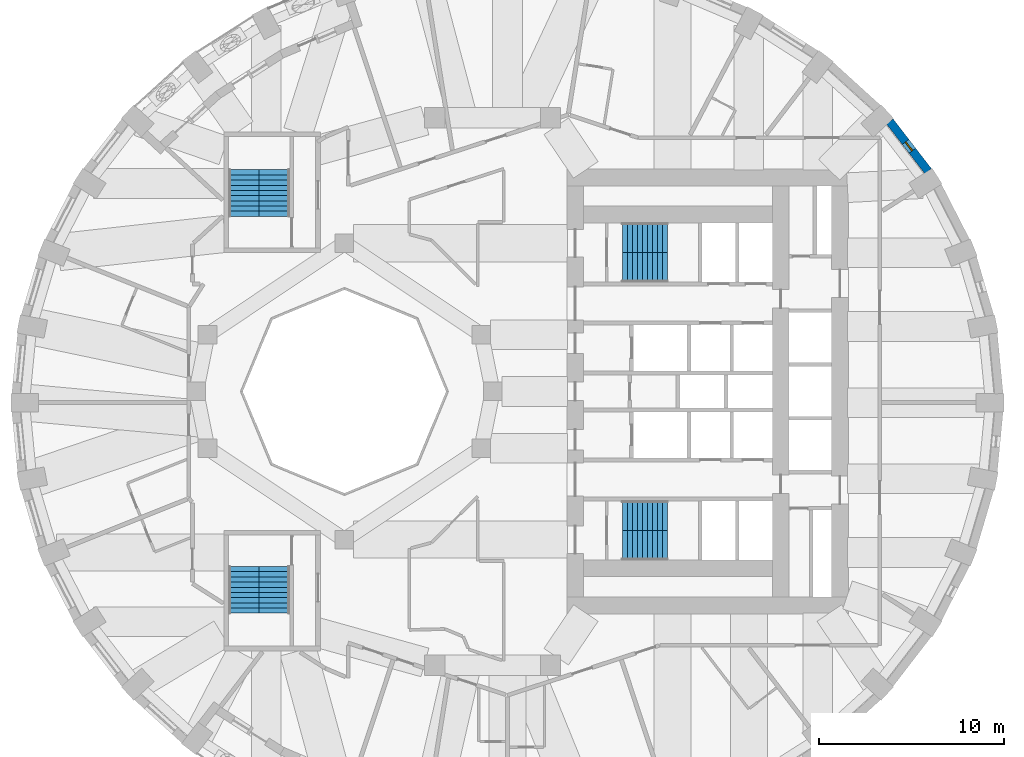
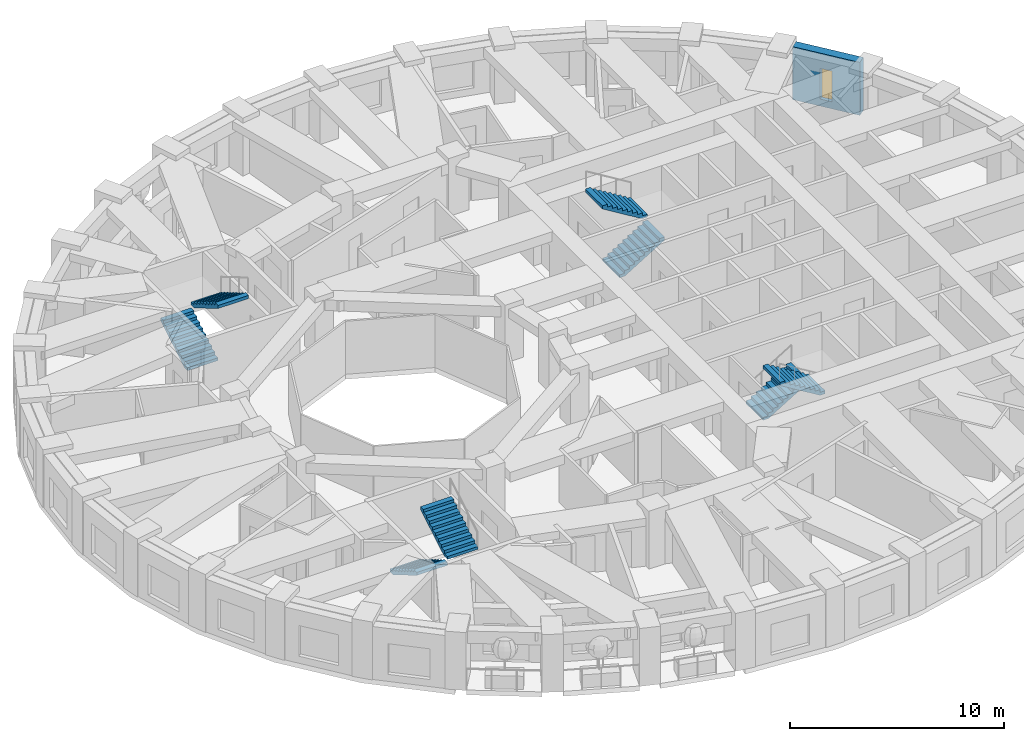
# One storey, part 9 of 12: 8 stair flights, 1 wall, 1 window, 1 opening, 4 elements without a shape of their own.
"""IFC4 building model written with IfcOpenShell, lengths in metres."""

from ifc_helpers import new_model, si_unit, direction, frame, frame_2d, origin, place, context, subcontext, project, spatial, polyline, rectangle, outline, extrude, material, layer, layer_set, type_object, element, fill, aggregate, save


model = new_model("IFC4")

# Units and contexts
model_context = context("Model", 3, precision=1e-05, world=origin(), true_north=direction((0.0, 1.0)))
body_context = subcontext(model_context, "Body", "Model", "MODEL_VIEW")
ifc_project = project(units=[si_unit("LENGTHUNIT", "METRE"), si_unit("AREAUNIT", "SQUARE_METRE"), si_unit("VOLUMEUNIT", "CUBIC_METRE"), si_unit("PLANEANGLEUNIT", "RADIAN"), si_unit("MASSUNIT", "GRAM", prefix="KILO")], contexts=[model_context])

# Site, building, storey
site_placement = place(None, origin())
site = spatial("IfcSite", under=ifc_project, at=site_placement, CompositionType="ELEMENT")
building_placement = place(site_placement, origin())
building = spatial("IfcBuilding", under=site, at=building_placement, Name="Taillehof Tower", CompositionType="ELEMENT")
storey_placement = place(building_placement, frame((0.0, 0.0, 121.89990234375)))
storey = spatial("IfcBuildingStorey", under=building, at=storey_placement, Name="L34", CompositionType="ELEMENT", Elevation=121.89990234375)

# Wall, opening, window
ifc_material_1 = material(Name="Brick masonry", Category="masonry")
ifc_layer = layer(ifc_material_1, 0.449951171875)
ifc_layer_set = layer_set([ifc_layer], Name="Brick infill wall 450")
wall_type = type_object("IfcWallType", Name="Brick infill wall 450", PredefinedType="SOLIDWALL", material=ifc_layer_set)
wall_placement = place(storey_placement, frame((23.508056640625, 11.887451171875, 0.0), z_axis=(0.0, 0.0, 1.0), x_axis=(-0.610693945156, 0.791866721961, 0.0)))
wall = element("IfcWall", 1, at=wall_placement, inside=storey, type_object=wall_type, Name="Brick wall L34 bay 4", PredefinedType="SOLIDWALL", context=body_context, shape_type="SweptSolid", body=[
    extrude(rectangle(XDim=3.39453125, YDim=0.449951171875, at=frame_2d((1.697265625, 0.0))), origin(), (0.0, 0.0, 1.0), 3.02001953125),
])
opening_placement = place(wall_placement, frame((1.397216796875, 0.0, 0.39990234375)))
opening = element("IfcOpeningElement", 2, at=opening_placement, cuts=wall, Name="Opening W6", PredefinedType="OPENING", context=body_context, shape_type="SweptSolid", body=[
    extrude(rectangle(XDim=0.60009765625, YDim=1.75, at=frame_2d((0.300048828125, 0.875))), frame((0.0, 0.23486328125, 0.0), z_axis=(0.0, -1.0, 0.0), x_axis=(1.0, 0.0, 0.0)), (0.0, 0.0, 1.0), 0.469970703125),
])
ifc_material_2 = material(Name="Aluminium window frame with clear double glazing", Category="aluminium")
window_type = type_object("IfcWindowType", Name="Slot window 600x1750", PartitioningType="SINGLE_PANEL", PredefinedType="WINDOW", material=ifc_material_2)
window_placement = place(opening_placement, origin())
window = element("IfcWindow", 3, at=window_placement, inside=storey, type_object=window_type, Name="W6", OverallHeight=1.75, OverallWidth=0.60009765625, PartitioningType="SINGLE_PANEL", PredefinedType="WINDOW", context=body_context, shape_type="SweptSolid", body=[
    extrude(rectangle(XDim=0.60009765625, YDim=1.75, at=frame_2d((0.300048828125, 0.875))), frame((0.0, 0.034912109375, 0.0), z_axis=(0.0, -1.0, 0.0), x_axis=(1.0, 0.0, 0.0)), (0.0, 0.0, 1.0), 0.06005859375),
])
fill(opening, window)

# Stair, stair flights
ifc_material_3 = material(Name="Concrete C40/50", Category="concrete")
stair_type = type_object("IfcStairType", Name="Exit stair half-turn", PredefinedType="HALF_TURN_STAIR", material=ifc_material_3)
stair_1_placement = place(storey_placement, origin())
stair_1 = element("IfcStair", 4, at=stair_1_placement, inside=storey, type_object=stair_type, Name="Exit stair S1", PredefinedType="HALF_TURN_STAIR")
ifc_material_4 = material(Name="Concrete C40/50", Category="concrete")
stair_flight_type_1 = type_object("IfcStairFlightType", Name="Stair flight 1600 riser 165.0 going 270", PredefinedType="STRAIGHT", material=ifc_material_4)
stair_flight_1_placement = place(storey_placement, frame((7.0, 6.699951171875, 0.0), z_axis=(0.0, 0.0, 1.0), x_axis=(1.0, 0.0, 0.0)))
stair_flight_1 = element("IfcStairFlight", 5, at=stair_flight_1_placement, type_object=stair_flight_type_1, Name="S1 flight 1", NumberOfRisers=10, NumberOfTreads=9, PredefinedType="STRAIGHT", RiserHeight=0.165, TreadLength=0.27, context=body_context, shape_type="SweptSolid", body=[
    extrude(outline(polyline([(0.0, 0.0), (0.0, 0.00537109375), (0.0, 0.0107421875), (0.0, 0.015869140625), (0.0, 0.021240234375), (0.0, 0.026611328125), (0.0, 0.031982421875), (0.0, 0.037353515625), (0.0, 0.04248046875), (0.0, 0.0478515625), (0.0, 0.05322265625), (0.0, 0.05859375), (0.0, 0.06396484375), (0.0, 0.069091796875), (0.0, 0.074462890625), (0.0, 0.079833984375), (0.0, 0.085205078125), (0.0, 0.090576171875), (0.0, 0.095703125), (0.0, 0.10107421875), (0.0, 0.1064453125), (0.0, 0.11181640625), (0.0, 0.1171875), (0.0, 0.122314453125), (0.0, 0.127685546875), (0.0, 0.133056640625), (0.0, 0.138427734375), (0.0, 0.143798828125), (0.0, 0.14892578125), (0.0, 0.154296875), (0.0, 0.15966796875), (0.0, 0.1650390625), (0.27001953125, 0.1650390625), (0.27001953125, 0.330078125), (0.5400390625, 0.330078125), (0.5400390625, 0.4951171875), (0.81005859375, 0.4951171875), (0.81005859375, 0.659912109375), (1.080078125, 0.659912109375), (1.080078125, 0.824951171875), (1.35009765625, 0.824951171875), (1.35009765625, 0.989990234375), (1.6201171875, 0.989990234375), (1.6201171875, 1.155029296875), (1.889892578125, 1.155029296875), (1.889892578125, 1.320068359375), (2.159912109375, 1.320068359375), (2.159912109375, 1.485107421875), (2.429931640625, 1.485107421875), (2.429931640625, 1.479248046875), (2.429931640625, 1.4736328125), (2.429931640625, 1.468017578125), (2.429931640625, 1.46240234375), (2.429931640625, 1.45654296875), (2.429931640625, 1.450927734375), (2.429931640625, 1.4453125), (2.429931640625, 1.439697265625), (2.429931640625, 1.43408203125), (2.429931640625, 1.42822265625), (2.429931640625, 1.422607421875), (2.429931640625, 1.4169921875), (2.429931640625, 1.411376953125), (2.429931640625, 1.40576171875), (2.429931640625, 1.39990234375), (2.429931640625, 1.394287109375), (2.429931640625, 1.388671875), (2.429931640625, 1.383056640625), (2.429931640625, 1.37744140625), (2.429931640625, 1.37158203125), (2.429931640625, 1.365966796875), (2.429931640625, 1.3603515625), (2.429931640625, 1.354736328125), (2.429931640625, 1.348876953125), (2.429931640625, 1.34326171875), (2.429931640625, 1.337646484375), (2.429931640625, 1.33203125), (2.429931640625, 1.326416015625), (2.429931640625, 1.320556640625), (2.429931640625, 1.31494140625), (2.429931640625, 1.309326171875), (0.287353515625, 0.0), (0.0, 0.0)])), frame((0.0, 0.800048828125, 0.0), z_axis=(0.0, -1.0, 0.0), x_axis=(1.0, 0.0, 0.0)), (0.0, 0.0, 1.0), 1.6),
])
stair_flight_2_placement = place(storey_placement, frame((9.429931640625, 8.300048828125, 1.650146484375), z_axis=(0.0, 0.0, 1.0), x_axis=(-1.0, 0.0, 0.0)))
stair_flight_2 = element("IfcStairFlight", 6, at=stair_flight_2_placement, type_object=stair_flight_type_1, Name="S1 flight 2", NumberOfRisers=10, NumberOfTreads=9, PredefinedType="STRAIGHT", RiserHeight=0.165, TreadLength=0.27, context=body_context, shape_type="SweptSolid", body=[
    extrude(outline(polyline([(0.0, 0.0), (0.0, 0.00537109375), (0.0, 0.0107421875), (0.0, 0.015869140625), (0.0, 0.021240234375), (0.0, 0.026611328125), (0.0, 0.031982421875), (0.0, 0.037353515625), (0.0, 0.04248046875), (0.0, 0.0478515625), (0.0, 0.05322265625), (0.0, 0.05859375), (0.0, 0.06396484375), (0.0, 0.069091796875), (0.0, 0.074462890625), (0.0, 0.079833984375), (0.0, 0.085205078125), (0.0, 0.090576171875), (0.0, 0.095703125), (0.0, 0.10107421875), (0.0, 0.1064453125), (0.0, 0.11181640625), (0.0, 0.1171875), (0.0, 0.122314453125), (0.0, 0.127685546875), (0.0, 0.133056640625), (0.0, 0.138427734375), (0.0, 0.143798828125), (0.0, 0.14892578125), (0.0, 0.154296875), (0.0, 0.15966796875), (0.0, 0.1650390625), (0.27001953125, 0.1650390625), (0.27001953125, 0.330078125), (0.5400390625, 0.330078125), (0.5400390625, 0.4951171875), (0.81005859375, 0.4951171875), (0.81005859375, 0.659912109375), (1.080078125, 0.659912109375), (1.080078125, 0.824951171875), (1.35009765625, 0.824951171875), (1.35009765625, 0.989990234375), (1.6201171875, 0.989990234375), (1.6201171875, 1.155029296875), (1.889892578125, 1.155029296875), (1.889892578125, 1.320068359375), (2.159912109375, 1.320068359375), (2.159912109375, 1.485107421875), (2.429931640625, 1.485107421875), (2.429931640625, 1.479248046875), (2.429931640625, 1.4736328125), (2.429931640625, 1.468017578125), (2.429931640625, 1.46240234375), (2.429931640625, 1.45654296875), (2.429931640625, 1.450927734375), (2.429931640625, 1.4453125), (2.429931640625, 1.439697265625), (2.429931640625, 1.43408203125), (2.429931640625, 1.42822265625), (2.429931640625, 1.422607421875), (2.429931640625, 1.4169921875), (2.429931640625, 1.411376953125), (2.429931640625, 1.40576171875), (2.429931640625, 1.39990234375), (2.429931640625, 1.394287109375), (2.429931640625, 1.388671875), (2.429931640625, 1.383056640625), (2.429931640625, 1.37744140625), (2.429931640625, 1.37158203125), (2.429931640625, 1.365966796875), (2.429931640625, 1.3603515625), (2.429931640625, 1.354736328125), (2.429931640625, 1.348876953125), (2.429931640625, 1.34326171875), (2.429931640625, 1.337646484375), (2.429931640625, 1.33203125), (2.429931640625, 1.326416015625), (2.429931640625, 1.320556640625), (2.429931640625, 1.31494140625), (2.429931640625, 1.309326171875), (0.287353515625, 0.0), (0.0, 0.0)])), frame((0.0, 0.800048828125, 0.0), z_axis=(0.0, -1.0, 0.0), x_axis=(1.0, 0.0, 0.0)), (0.0, 0.0, 1.0), 1.6),
])
aggregate(stair_1, [stair_flight_1, stair_flight_2])

stair_2_placement = place(storey_placement, origin())
stair_2 = element("IfcStair", 7, at=stair_2_placement, inside=storey, type_object=stair_type, Name="Exit stair S2", PredefinedType="HALF_TURN_STAIR")
stair_flight_3_placement = place(storey_placement, frame((7.0, -6.699951171875, 0.0), z_axis=(0.0, 0.0, 1.0), x_axis=(1.0, 0.0, 0.0)))
stair_flight_3 = element("IfcStairFlight", 8, at=stair_flight_3_placement, type_object=stair_flight_type_1, Name="S2 flight 1", NumberOfRisers=10, NumberOfTreads=9, PredefinedType="STRAIGHT", RiserHeight=0.165, TreadLength=0.27, context=body_context, shape_type="SweptSolid", body=[
    extrude(outline(polyline([(0.0, 0.0), (0.0, 0.00537109375), (0.0, 0.0107421875), (0.0, 0.015869140625), (0.0, 0.021240234375), (0.0, 0.026611328125), (0.0, 0.031982421875), (0.0, 0.037353515625), (0.0, 0.04248046875), (0.0, 0.0478515625), (0.0, 0.05322265625), (0.0, 0.05859375), (0.0, 0.06396484375), (0.0, 0.069091796875), (0.0, 0.074462890625), (0.0, 0.079833984375), (0.0, 0.085205078125), (0.0, 0.090576171875), (0.0, 0.095703125), (0.0, 0.10107421875), (0.0, 0.1064453125), (0.0, 0.11181640625), (0.0, 0.1171875), (0.0, 0.122314453125), (0.0, 0.127685546875), (0.0, 0.133056640625), (0.0, 0.138427734375), (0.0, 0.143798828125), (0.0, 0.14892578125), (0.0, 0.154296875), (0.0, 0.15966796875), (0.0, 0.1650390625), (0.27001953125, 0.1650390625), (0.27001953125, 0.330078125), (0.5400390625, 0.330078125), (0.5400390625, 0.4951171875), (0.81005859375, 0.4951171875), (0.81005859375, 0.659912109375), (1.080078125, 0.659912109375), (1.080078125, 0.824951171875), (1.35009765625, 0.824951171875), (1.35009765625, 0.989990234375), (1.6201171875, 0.989990234375), (1.6201171875, 1.155029296875), (1.889892578125, 1.155029296875), (1.889892578125, 1.320068359375), (2.159912109375, 1.320068359375), (2.159912109375, 1.485107421875), (2.429931640625, 1.485107421875), (2.429931640625, 1.479248046875), (2.429931640625, 1.4736328125), (2.429931640625, 1.468017578125), (2.429931640625, 1.46240234375), (2.429931640625, 1.45654296875), (2.429931640625, 1.450927734375), (2.429931640625, 1.4453125), (2.429931640625, 1.439697265625), (2.429931640625, 1.43408203125), (2.429931640625, 1.42822265625), (2.429931640625, 1.422607421875), (2.429931640625, 1.4169921875), (2.429931640625, 1.411376953125), (2.429931640625, 1.40576171875), (2.429931640625, 1.39990234375), (2.429931640625, 1.394287109375), (2.429931640625, 1.388671875), (2.429931640625, 1.383056640625), (2.429931640625, 1.37744140625), (2.429931640625, 1.37158203125), (2.429931640625, 1.365966796875), (2.429931640625, 1.3603515625), (2.429931640625, 1.354736328125), (2.429931640625, 1.348876953125), (2.429931640625, 1.34326171875), (2.429931640625, 1.337646484375), (2.429931640625, 1.33203125), (2.429931640625, 1.326416015625), (2.429931640625, 1.320556640625), (2.429931640625, 1.31494140625), (2.429931640625, 1.309326171875), (0.287353515625, 0.0), (0.0, 0.0)])), frame((0.0, 0.800048828125, 0.0), z_axis=(0.0, -1.0, 0.0), x_axis=(1.0, 0.0, 0.0)), (0.0, 0.0, 1.0), 1.6),
])
stair_flight_4_placement = place(storey_placement, frame((9.429931640625, -8.300048828125, 1.650146484375), z_axis=(0.0, 0.0, 1.0), x_axis=(-1.0, 0.0, 0.0)))
stair_flight_4 = element("IfcStairFlight", 9, at=stair_flight_4_placement, type_object=stair_flight_type_1, Name="S2 flight 2", NumberOfRisers=10, NumberOfTreads=9, PredefinedType="STRAIGHT", RiserHeight=0.165, TreadLength=0.27, context=body_context, shape_type="SweptSolid", body=[
    extrude(outline(polyline([(0.0, 0.0), (0.0, 0.00537109375), (0.0, 0.0107421875), (0.0, 0.015869140625), (0.0, 0.021240234375), (0.0, 0.026611328125), (0.0, 0.031982421875), (0.0, 0.037353515625), (0.0, 0.04248046875), (0.0, 0.0478515625), (0.0, 0.05322265625), (0.0, 0.05859375), (0.0, 0.06396484375), (0.0, 0.069091796875), (0.0, 0.074462890625), (0.0, 0.079833984375), (0.0, 0.085205078125), (0.0, 0.090576171875), (0.0, 0.095703125), (0.0, 0.10107421875), (0.0, 0.1064453125), (0.0, 0.11181640625), (0.0, 0.1171875), (0.0, 0.122314453125), (0.0, 0.127685546875), (0.0, 0.133056640625), (0.0, 0.138427734375), (0.0, 0.143798828125), (0.0, 0.14892578125), (0.0, 0.154296875), (0.0, 0.15966796875), (0.0, 0.1650390625), (0.27001953125, 0.1650390625), (0.27001953125, 0.330078125), (0.5400390625, 0.330078125), (0.5400390625, 0.4951171875), (0.81005859375, 0.4951171875), (0.81005859375, 0.659912109375), (1.080078125, 0.659912109375), (1.080078125, 0.824951171875), (1.35009765625, 0.824951171875), (1.35009765625, 0.989990234375), (1.6201171875, 0.989990234375), (1.6201171875, 1.155029296875), (1.889892578125, 1.155029296875), (1.889892578125, 1.320068359375), (2.159912109375, 1.320068359375), (2.159912109375, 1.485107421875), (2.429931640625, 1.485107421875), (2.429931640625, 1.479248046875), (2.429931640625, 1.4736328125), (2.429931640625, 1.468017578125), (2.429931640625, 1.46240234375), (2.429931640625, 1.45654296875), (2.429931640625, 1.450927734375), (2.429931640625, 1.4453125), (2.429931640625, 1.439697265625), (2.429931640625, 1.43408203125), (2.429931640625, 1.42822265625), (2.429931640625, 1.422607421875), (2.429931640625, 1.4169921875), (2.429931640625, 1.411376953125), (2.429931640625, 1.40576171875), (2.429931640625, 1.39990234375), (2.429931640625, 1.394287109375), (2.429931640625, 1.388671875), (2.429931640625, 1.383056640625), (2.429931640625, 1.37744140625), (2.429931640625, 1.37158203125), (2.429931640625, 1.365966796875), (2.429931640625, 1.3603515625), (2.429931640625, 1.354736328125), (2.429931640625, 1.348876953125), (2.429931640625, 1.34326171875), (2.429931640625, 1.337646484375), (2.429931640625, 1.33203125), (2.429931640625, 1.326416015625), (2.429931640625, 1.320556640625), (2.429931640625, 1.31494140625), (2.429931640625, 1.309326171875), (0.287353515625, 0.0), (0.0, 0.0)])), frame((0.0, 0.800048828125, 0.0), z_axis=(0.0, -1.0, 0.0), x_axis=(1.0, 0.0, 0.0)), (0.0, 0.0, 1.0), 1.6),
])
aggregate(stair_2, [stair_flight_3, stair_flight_4])

stair_3_placement = place(storey_placement, origin())
stair_3 = element("IfcStair", 10, at=stair_3_placement, inside=storey, type_object=stair_type, Name="Exit stair S3", PredefinedType="HALF_TURN_STAIR")
ifc_material_5 = material(Name="Concrete C40/50", Category="concrete")
stair_flight_type_2 = type_object("IfcStairFlightType", Name="Stair flight 1650 riser 165.0 going 280", PredefinedType="STRAIGHT", material=ifc_material_5)
stair_flight_5_placement = place(storey_placement, frame((-13.425048828125, 9.449951171875, 0.0), z_axis=(0.0, 0.0, 1.0), x_axis=(0.0, 1.0, 0.0)))
stair_flight_5 = element("IfcStairFlight", 11, at=stair_flight_5_placement, type_object=stair_flight_type_2, Name="S3 flight 1", NumberOfRisers=10, NumberOfTreads=9, PredefinedType="STRAIGHT", RiserHeight=0.165, TreadLength=0.28, context=body_context, shape_type="SweptSolid", body=[
    extrude(outline(polyline([(0.0, 0.0), (0.0, 0.00537109375), (0.0, 0.0107421875), (0.0, 0.015869140625), (0.0, 0.021240234375), (0.0, 0.026611328125), (0.0, 0.031982421875), (0.0, 0.037353515625), (0.0, 0.04248046875), (0.0, 0.0478515625), (0.0, 0.05322265625), (0.0, 0.05859375), (0.0, 0.06396484375), (0.0, 0.069091796875), (0.0, 0.074462890625), (0.0, 0.079833984375), (0.0, 0.085205078125), (0.0, 0.090576171875), (0.0, 0.095703125), (0.0, 0.10107421875), (0.0, 0.1064453125), (0.0, 0.11181640625), (0.0, 0.1171875), (0.0, 0.122314453125), (0.0, 0.127685546875), (0.0, 0.133056640625), (0.0, 0.138427734375), (0.0, 0.143798828125), (0.0, 0.14892578125), (0.0, 0.154296875), (0.0, 0.15966796875), (0.0, 0.1650390625), (0.280029296875, 0.1650390625), (0.280029296875, 0.330078125), (0.56005859375, 0.330078125), (0.56005859375, 0.4951171875), (0.840087890625, 0.4951171875), (0.840087890625, 0.659912109375), (1.1201171875, 0.659912109375), (1.1201171875, 0.824951171875), (1.39990234375, 0.824951171875), (1.39990234375, 0.989990234375), (1.679931640625, 0.989990234375), (1.679931640625, 1.155029296875), (1.9599609375, 1.155029296875), (1.9599609375, 1.320068359375), (2.239990234375, 1.320068359375), (2.239990234375, 1.485107421875), (2.52001953125, 1.485107421875), (2.52001953125, 1.4794921875), (2.52001953125, 1.473876953125), (2.52001953125, 1.46826171875), (2.52001953125, 1.462646484375), (2.52001953125, 1.45703125), (2.52001953125, 1.451416015625), (2.52001953125, 1.44580078125), (2.52001953125, 1.440185546875), (2.52001953125, 1.4345703125), (2.52001953125, 1.428955078125), (2.52001953125, 1.42333984375), (2.52001953125, 1.417724609375), (2.52001953125, 1.412109375), (2.52001953125, 1.406494140625), (2.52001953125, 1.40087890625), (2.52001953125, 1.395263671875), (2.52001953125, 1.3896484375), (2.52001953125, 1.384033203125), (2.52001953125, 1.37841796875), (2.52001953125, 1.372802734375), (2.52001953125, 1.3671875), (2.52001953125, 1.361572265625), (2.52001953125, 1.35595703125), (2.52001953125, 1.350341796875), (2.52001953125, 1.3447265625), (2.52001953125, 1.339111328125), (2.52001953125, 1.33349609375), (2.52001953125, 1.327880859375), (2.52001953125, 1.322265625), (2.52001953125, 1.316650390625), (2.52001953125, 1.31103515625), (0.295166015625, 0.0), (0.0, 0.0)])), frame((0.0, 0.824951171875, 0.0), z_axis=(0.0, -1.0, 0.0), x_axis=(1.0, 0.0, 0.0)), (0.0, 0.0, 1.0), 1.65),
])
stair_flight_6_placement = place(storey_placement, frame((-11.77490234375, 11.969970703125, 1.650146484375), z_axis=(0.0, 0.0, 1.0), x_axis=(0.0, -1.0, 0.0)))
stair_flight_6 = element("IfcStairFlight", 12, at=stair_flight_6_placement, type_object=stair_flight_type_2, Name="S3 flight 2", NumberOfRisers=10, NumberOfTreads=9, PredefinedType="STRAIGHT", RiserHeight=0.165, TreadLength=0.28, context=body_context, shape_type="SweptSolid", body=[
    extrude(outline(polyline([(0.0, 0.0), (0.0, 0.00537109375), (0.0, 0.0107421875), (0.0, 0.015869140625), (0.0, 0.021240234375), (0.0, 0.026611328125), (0.0, 0.031982421875), (0.0, 0.037353515625), (0.0, 0.04248046875), (0.0, 0.0478515625), (0.0, 0.05322265625), (0.0, 0.05859375), (0.0, 0.06396484375), (0.0, 0.069091796875), (0.0, 0.074462890625), (0.0, 0.079833984375), (0.0, 0.085205078125), (0.0, 0.090576171875), (0.0, 0.095703125), (0.0, 0.10107421875), (0.0, 0.1064453125), (0.0, 0.11181640625), (0.0, 0.1171875), (0.0, 0.122314453125), (0.0, 0.127685546875), (0.0, 0.133056640625), (0.0, 0.138427734375), (0.0, 0.143798828125), (0.0, 0.14892578125), (0.0, 0.154296875), (0.0, 0.15966796875), (0.0, 0.1650390625), (0.280029296875, 0.1650390625), (0.280029296875, 0.330078125), (0.56005859375, 0.330078125), (0.56005859375, 0.4951171875), (0.840087890625, 0.4951171875), (0.840087890625, 0.659912109375), (1.1201171875, 0.659912109375), (1.1201171875, 0.824951171875), (1.39990234375, 0.824951171875), (1.39990234375, 0.989990234375), (1.679931640625, 0.989990234375), (1.679931640625, 1.155029296875), (1.9599609375, 1.155029296875), (1.9599609375, 1.320068359375), (2.239990234375, 1.320068359375), (2.239990234375, 1.485107421875), (2.52001953125, 1.485107421875), (2.52001953125, 1.4794921875), (2.52001953125, 1.473876953125), (2.52001953125, 1.46826171875), (2.52001953125, 1.462646484375), (2.52001953125, 1.45703125), (2.52001953125, 1.451416015625), (2.52001953125, 1.44580078125), (2.52001953125, 1.440185546875), (2.52001953125, 1.4345703125), (2.52001953125, 1.428955078125), (2.52001953125, 1.42333984375), (2.52001953125, 1.417724609375), (2.52001953125, 1.412109375), (2.52001953125, 1.406494140625), (2.52001953125, 1.40087890625), (2.52001953125, 1.395263671875), (2.52001953125, 1.3896484375), (2.52001953125, 1.384033203125), (2.52001953125, 1.37841796875), (2.52001953125, 1.372802734375), (2.52001953125, 1.3671875), (2.52001953125, 1.361572265625), (2.52001953125, 1.35595703125), (2.52001953125, 1.350341796875), (2.52001953125, 1.3447265625), (2.52001953125, 1.339111328125), (2.52001953125, 1.33349609375), (2.52001953125, 1.327880859375), (2.52001953125, 1.322265625), (2.52001953125, 1.316650390625), (2.52001953125, 1.31103515625), (0.295166015625, 0.0), (0.0, 0.0)])), frame((0.0, 0.824951171875, 0.0), z_axis=(0.0, -1.0, 0.0), x_axis=(1.0, 0.0, 0.0)), (0.0, 0.0, 1.0), 1.65),
])
aggregate(stair_3, [stair_flight_5, stair_flight_6])

stair_4_placement = place(storey_placement, origin())
stair_4 = element("IfcStair", 13, at=stair_4_placement, inside=storey, type_object=stair_type, Name="Exit stair S4", PredefinedType="HALF_TURN_STAIR")
stair_flight_7_placement = place(storey_placement, frame((-13.425048828125, -9.449951171875, 0.0), z_axis=(0.0, 0.0, 1.0), x_axis=(0.0, -1.0, 0.0)))
stair_flight_7 = element("IfcStairFlight", 14, at=stair_flight_7_placement, type_object=stair_flight_type_2, Name="S4 flight 1", NumberOfRisers=10, NumberOfTreads=9, PredefinedType="STRAIGHT", RiserHeight=0.165, TreadLength=0.28, context=body_context, shape_type="SweptSolid", body=[
    extrude(outline(polyline([(0.0, 0.0), (0.0, 0.00537109375), (0.0, 0.0107421875), (0.0, 0.015869140625), (0.0, 0.021240234375), (0.0, 0.026611328125), (0.0, 0.031982421875), (0.0, 0.037353515625), (0.0, 0.04248046875), (0.0, 0.0478515625), (0.0, 0.05322265625), (0.0, 0.05859375), (0.0, 0.06396484375), (0.0, 0.069091796875), (0.0, 0.074462890625), (0.0, 0.079833984375), (0.0, 0.085205078125), (0.0, 0.090576171875), (0.0, 0.095703125), (0.0, 0.10107421875), (0.0, 0.1064453125), (0.0, 0.11181640625), (0.0, 0.1171875), (0.0, 0.122314453125), (0.0, 0.127685546875), (0.0, 0.133056640625), (0.0, 0.138427734375), (0.0, 0.143798828125), (0.0, 0.14892578125), (0.0, 0.154296875), (0.0, 0.15966796875), (0.0, 0.1650390625), (0.280029296875, 0.1650390625), (0.280029296875, 0.330078125), (0.56005859375, 0.330078125), (0.56005859375, 0.4951171875), (0.840087890625, 0.4951171875), (0.840087890625, 0.659912109375), (1.1201171875, 0.659912109375), (1.1201171875, 0.824951171875), (1.39990234375, 0.824951171875), (1.39990234375, 0.989990234375), (1.679931640625, 0.989990234375), (1.679931640625, 1.155029296875), (1.9599609375, 1.155029296875), (1.9599609375, 1.320068359375), (2.239990234375, 1.320068359375), (2.239990234375, 1.485107421875), (2.52001953125, 1.485107421875), (2.52001953125, 1.4794921875), (2.52001953125, 1.473876953125), (2.52001953125, 1.46826171875), (2.52001953125, 1.462646484375), (2.52001953125, 1.45703125), (2.52001953125, 1.451416015625), (2.52001953125, 1.44580078125), (2.52001953125, 1.440185546875), (2.52001953125, 1.4345703125), (2.52001953125, 1.428955078125), (2.52001953125, 1.42333984375), (2.52001953125, 1.417724609375), (2.52001953125, 1.412109375), (2.52001953125, 1.406494140625), (2.52001953125, 1.40087890625), (2.52001953125, 1.395263671875), (2.52001953125, 1.3896484375), (2.52001953125, 1.384033203125), (2.52001953125, 1.37841796875), (2.52001953125, 1.372802734375), (2.52001953125, 1.3671875), (2.52001953125, 1.361572265625), (2.52001953125, 1.35595703125), (2.52001953125, 1.350341796875), (2.52001953125, 1.3447265625), (2.52001953125, 1.339111328125), (2.52001953125, 1.33349609375), (2.52001953125, 1.327880859375), (2.52001953125, 1.322265625), (2.52001953125, 1.316650390625), (2.52001953125, 1.31103515625), (0.295166015625, 0.0), (0.0, 0.0)])), frame((0.0, 0.824951171875, 0.0), z_axis=(0.0, -1.0, 0.0), x_axis=(1.0, 0.0, 0.0)), (0.0, 0.0, 1.0), 1.65),
])
stair_flight_8_placement = place(storey_placement, frame((-11.77490234375, -11.969970703125, 1.650146484375), z_axis=(0.0, 0.0, 1.0), x_axis=(0.0, 1.0, 0.0)))
stair_flight_8 = element("IfcStairFlight", 15, at=stair_flight_8_placement, type_object=stair_flight_type_2, Name="S4 flight 2", NumberOfRisers=10, NumberOfTreads=9, PredefinedType="STRAIGHT", RiserHeight=0.165, TreadLength=0.28, context=body_context, shape_type="SweptSolid", body=[
    extrude(outline(polyline([(0.0, 0.0), (0.0, 0.00537109375), (0.0, 0.0107421875), (0.0, 0.015869140625), (0.0, 0.021240234375), (0.0, 0.026611328125), (0.0, 0.031982421875), (0.0, 0.037353515625), (0.0, 0.04248046875), (0.0, 0.0478515625), (0.0, 0.05322265625), (0.0, 0.05859375), (0.0, 0.06396484375), (0.0, 0.069091796875), (0.0, 0.074462890625), (0.0, 0.079833984375), (0.0, 0.085205078125), (0.0, 0.090576171875), (0.0, 0.095703125), (0.0, 0.10107421875), (0.0, 0.1064453125), (0.0, 0.11181640625), (0.0, 0.1171875), (0.0, 0.122314453125), (0.0, 0.127685546875), (0.0, 0.133056640625), (0.0, 0.138427734375), (0.0, 0.143798828125), (0.0, 0.14892578125), (0.0, 0.154296875), (0.0, 0.15966796875), (0.0, 0.1650390625), (0.280029296875, 0.1650390625), (0.280029296875, 0.330078125), (0.56005859375, 0.330078125), (0.56005859375, 0.4951171875), (0.840087890625, 0.4951171875), (0.840087890625, 0.659912109375), (1.1201171875, 0.659912109375), (1.1201171875, 0.824951171875), (1.39990234375, 0.824951171875), (1.39990234375, 0.989990234375), (1.679931640625, 0.989990234375), (1.679931640625, 1.155029296875), (1.9599609375, 1.155029296875), (1.9599609375, 1.320068359375), (2.239990234375, 1.320068359375), (2.239990234375, 1.485107421875), (2.52001953125, 1.485107421875), (2.52001953125, 1.4794921875), (2.52001953125, 1.473876953125), (2.52001953125, 1.46826171875), (2.52001953125, 1.462646484375), (2.52001953125, 1.45703125), (2.52001953125, 1.451416015625), (2.52001953125, 1.44580078125), (2.52001953125, 1.440185546875), (2.52001953125, 1.4345703125), (2.52001953125, 1.428955078125), (2.52001953125, 1.42333984375), (2.52001953125, 1.417724609375), (2.52001953125, 1.412109375), (2.52001953125, 1.406494140625), (2.52001953125, 1.40087890625), (2.52001953125, 1.395263671875), (2.52001953125, 1.3896484375), (2.52001953125, 1.384033203125), (2.52001953125, 1.37841796875), (2.52001953125, 1.372802734375), (2.52001953125, 1.3671875), (2.52001953125, 1.361572265625), (2.52001953125, 1.35595703125), (2.52001953125, 1.350341796875), (2.52001953125, 1.3447265625), (2.52001953125, 1.339111328125), (2.52001953125, 1.33349609375), (2.52001953125, 1.327880859375), (2.52001953125, 1.322265625), (2.52001953125, 1.316650390625), (2.52001953125, 1.31103515625), (0.295166015625, 0.0), (0.0, 0.0)])), frame((0.0, 0.824951171875, 0.0), z_axis=(0.0, -1.0, 0.0), x_axis=(1.0, 0.0, 0.0)), (0.0, 0.0, 1.0), 1.65),
])
aggregate(stair_4, [stair_flight_7, stair_flight_8])

save(model, "model.ifc")
